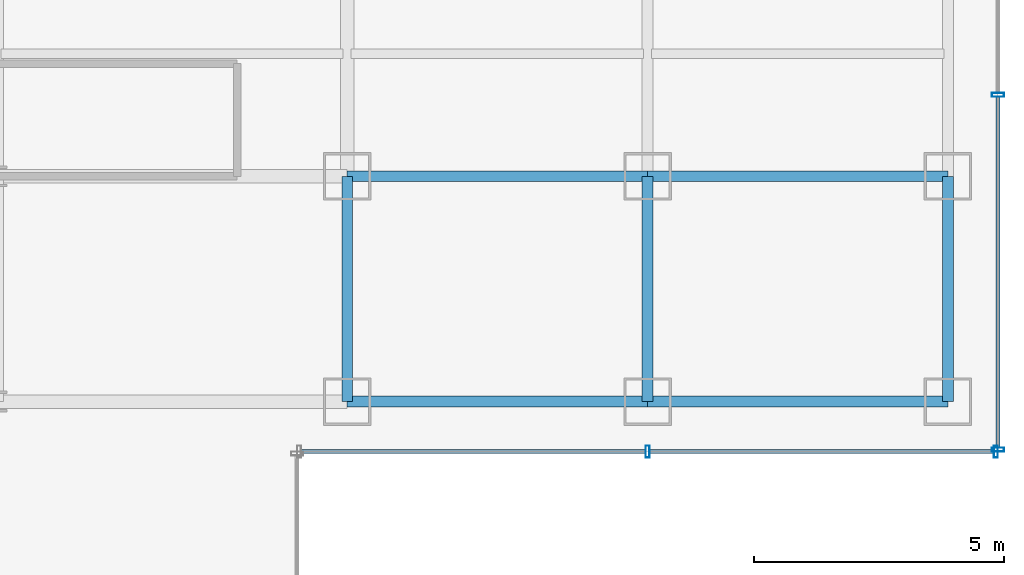
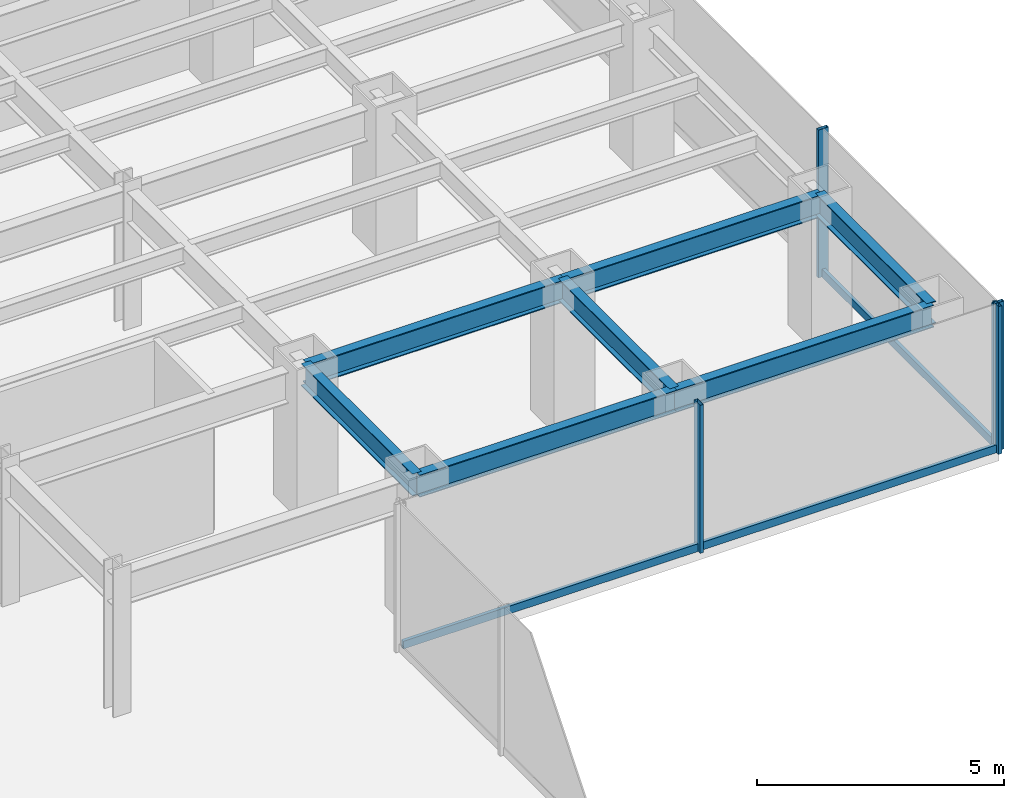
# One storey, part 7 of 22: 7 beams, 7 members, 2 elements without a shape of their own.
"""IFC4 building model written with IfcOpenShell, lengths in metres."""

from ifc_helpers import new_model, si_unit, derived_unit, direction, frame, origin, origin_2d, place, context, subcontext, project, spatial, hollow_rectangle, i_section, extrude, source, transform, mapped, material, material_profile, profile_set, type_object, element, aggregate, save


model = new_model("IFC4")

# Units and contexts
model_context = context("Model", 3, precision=1e-05, world=origin(), true_north=direction((0.0, 1.0)))
body_context = subcontext(model_context, "Body", "Model", "MODEL_VIEW")
ifc_project = project(units=[si_unit("LENGTHUNIT", "METRE"), si_unit("AREAUNIT", "SQUARE_METRE"), si_unit("VOLUMEUNIT", "CUBIC_METRE"), si_unit("PLANEANGLEUNIT", "RADIAN"), si_unit("MASSUNIT", "GRAM", prefix="KILO"), derived_unit("THERMALTRANSMITTANCEUNIT", [(si_unit("POWERUNIT", "WATT"), 1), (si_unit("LENGTHUNIT", "METRE"), -2), (si_unit("THERMODYNAMICTEMPERATUREUNIT", "KELVIN"), -1)])], contexts=[model_context])

# Site, building, storey
site_placement = place(None, origin())
site = spatial("IfcSite", under=ifc_project, at=site_placement, CompositionType="ELEMENT")
building_placement = place(site_placement, origin())
building = spatial("IfcBuilding", under=site, at=building_placement, Name="Skarnbrae Concourse Arena and Tower", CompositionType="ELEMENT")
storey_placement = place(building_placement, frame((0.0, 0.0, 72.64990234375)))
storey = spatial("IfcBuildingStorey", under=building, at=storey_placement, Name="L17", CompositionType="ELEMENT", Elevation=72.64990234375)

# Beams
ifc_material_1 = material(Name="Steel CSA G40.21 350W", Category="steel")
ifc_material_profile_1 = material_profile(ifc_material_1, i_section(OverallWidth=0.214111328125, OverallDepth=0.549072265625, WebThickness=0.0146484375, FlangeThickness=0.023681640625, at=origin_2d()), Name="W530X138")
ifc_profile_set_1 = profile_set([ifc_material_profile_1], Name="Steel CSA G40.21 350W")
beam_type = type_object("IfcBeamType", Name="BM-SPAN-W530X138", PredefinedType="SPANDREL", material=ifc_profile_set_1)
shared_shape_1 = source(origin(), body_context, "Body", "SweptSolid", [
    extrude(i_section(OverallWidth=0.214111328125, OverallDepth=0.549072265625, WebThickness=0.0146484375, FlangeThickness=0.023681640625, at=origin_2d()), origin(), (0.0, 0.0, 1.0), 6.0),
])
for number, where, z_axis, x_axis, name in (
    (1, (49.0, 9.5, 3.12548828125), (1.0, 0.0, 0.0), (0.0, 1.0, 0.0), "L17 Perimeter spandrel Y9.5-3"),
    (2, (55.0, 9.5, 3.12548828125), (1.0, 0.0, 0.0), (0.0, 1.0, 0.0), "L17 Perimeter spandrel Y9.5-4"),
    (3, (49.0, 14.0, 3.12548828125), (1.0, 0.0, 0.0), (0.0, 1.0, 0.0), "L17 Perimeter spandrel Y14.0-8"),
    (4, (55.0, 14.0, 3.12548828125), (1.0, 0.0, 0.0), (0.0, 1.0, 0.0), "L17 Perimeter spandrel Y14.0-9"),
):
    element("IfcBeam", number, at=place(storey_placement, frame(where, z_axis=z_axis, x_axis=x_axis)), inside=storey, type_object=beam_type, Name=name, PredefinedType="SPANDREL", context=body_context, shape_type="MappedRepresentation", body=[
        mapped(shared_shape_1, transform((0.0, 0.0, 0.0))),
    ])
shared_shape_2 = source(origin(), body_context, "Body", "SweptSolid", [
    extrude(i_section(OverallWidth=0.214111328125, OverallDepth=0.549072265625, WebThickness=0.0146484375, FlangeThickness=0.023681640625, at=origin_2d()), origin(), (0.0, 0.0, 1.0), 4.5),
])
for number, where, z_axis, x_axis, name in (
    (5, (49.0, 9.5, 3.12548828125), (0.0, 1.0, 0.0), (-1.0, 0.0, 0.0), "L17 Perimeter spandrel X49.0-1"),
    (6, (55.0, 9.5, 3.12548828125), (0.0, 1.0, 0.0), (-1.0, 0.0, 0.0), "L17 Perimeter spandrel X55.0-1"),
    (7, (61.0, 9.5, 3.12548828125), (0.0, 1.0, 0.0), (-1.0, 0.0, 0.0), "L17 Perimeter spandrel X61.0-1"),
):
    element("IfcBeam", number, at=place(storey_placement, frame(where, z_axis=z_axis, x_axis=x_axis)), inside=storey, type_object=beam_type, Name=name, PredefinedType="SPANDREL", context=body_context, shape_type="MappedRepresentation", body=[
        mapped(shared_shape_2, transform((0.0, 0.0, 0.0))),
    ])

# Curtain wall, members
ifc_material_2 = material(Name="Bronze anodised aluminium 6063-T6", Category="aluminium")
curtain_wall_type = type_object("IfcCurtainWallType", Name="CW-SYS-02-LOWZONE", PredefinedType="USERDEFINED", material=ifc_material_2)
curtain_wall_1_placement = place(storey_placement, origin())
curtain_wall_1 = element("IfcCurtainWall", 8, at=curtain_wall_1_placement, inside=storey, type_object=curtain_wall_type, Name="L17 Unitised curtain wall CW-L17-E03", ObjectType="UNITISED CURTAIN WALL", PredefinedType="USERDEFINED")
ifc_material_profile_2 = material_profile(ifc_material_2, hollow_rectangle(XDim=0.080078125, YDim=0.18994140625, WallThickness=0.0048828125, at=origin_2d()), Name="ALU-TRAN-80X190")
ifc_profile_set_2 = profile_set([ifc_material_profile_2], Name="Bronze anodised aluminium 6063-T6")
member_type_1 = type_object("IfcMemberType", Name="CWT-CW-02", PredefinedType="USERDEFINED", material=ifc_profile_set_2)
shared_shape_3 = source(origin(), body_context, "Body", "SweptSolid", [
    extrude(hollow_rectangle(XDim=0.080078125, YDim=0.18994140625, WallThickness=0.0048828125, at=origin_2d()), origin(), (0.0, 0.0, 1.0), 6.8798828125),
])
member_1_placement = place(storey_placement, frame((48.080078125, 8.5, 0.09521484375), z_axis=(1.0, 0.0, 0.0), x_axis=(0.0, 1.0, 0.0)))
member_1 = element("IfcMember", 9, at=member_1_placement, type_object=member_type_1, Name="CW-L17-E03 Transom 1", ObjectType="TRANSOM", PredefinedType="USERDEFINED", context=body_context, shape_type="MappedRepresentation", body=[
    mapped(shared_shape_3, transform((0.0, 0.0, 0.0))),
])
member_2_placement = place(storey_placement, frame((55.0400390625, 8.5, 0.09521484375), z_axis=(1.0, 0.0, 0.0), x_axis=(0.0, 1.0, 0.0)))
member_2 = element("IfcMember", 10, at=member_2_placement, type_object=member_type_1, Name="CW-L17-E03 Transom 2", ObjectType="TRANSOM", PredefinedType="USERDEFINED", context=body_context, shape_type="MappedRepresentation", body=[
    mapped(shared_shape_3, transform((0.0, 0.0, 0.0))),
])

# Curtain wall, member
curtain_wall_2_placement = place(storey_placement, origin())
curtain_wall_2 = element("IfcCurtainWall", 11, at=curtain_wall_2_placement, inside=storey, type_object=curtain_wall_type, Name="L17 Unitised curtain wall CW-L17-E04", ObjectType="UNITISED CURTAIN WALL", PredefinedType="USERDEFINED")
shared_shape_4 = source(origin(), body_context, "Body", "SweptSolid", [
    extrude(hollow_rectangle(XDim=0.080078125, YDim=0.18994140625, WallThickness=0.0048828125, at=origin_2d()), origin(), (0.0, 0.0, 1.0), 7.0048828125),
])
member_3_placement = place(storey_placement, frame((62.0, 8.580078125, 0.09521484375), z_axis=(0.0, 1.0, 0.0), x_axis=(-1.0, 0.0, 0.0)))
member_3 = element("IfcMember", 12, at=member_3_placement, type_object=member_type_1, Name="CW-L17-E04 Transom 1", ObjectType="TRANSOM", PredefinedType="USERDEFINED", context=body_context, shape_type="MappedRepresentation", body=[
    mapped(shared_shape_4, transform((0.0, 0.0, 0.0))),
])

# Member
ifc_material_profile_3 = material_profile(ifc_material_2, hollow_rectangle(XDim=0.080078125, YDim=0.239990234375, WallThickness=0.0048828125, at=origin_2d()), Name="ALU-MULL-80X240")
ifc_profile_set_3 = profile_set([ifc_material_profile_3], Name="Bronze anodised aluminium 6063-T6")
member_type_2 = type_object("IfcMemberType", Name="CWM-CW-02", PredefinedType="MULLION", material=ifc_profile_set_3)
shared_shape_5 = source(origin(), body_context, "Body", "SweptSolid", [
    extrude(hollow_rectangle(XDim=0.080078125, YDim=0.239990234375, WallThickness=0.0048828125, at=origin_2d()), origin(), (0.0, 0.0, 1.0), 3.650146484375),
])
member_4_placement = place(storey_placement, frame((55.0, 8.5, 0.0), z_axis=(0.0, 0.0, 1.0), x_axis=(1.0, 0.0, 0.0)))
member_4 = element("IfcMember", 13, at=member_4_placement, type_object=member_type_2, Name="CW-L17-E03 Mullion 2", PredefinedType="MULLION", context=body_context, shape_type="MappedRepresentation", body=[
    mapped(shared_shape_5, transform((0.0, 0.0, 0.0))),
])

member_5_placement = place(storey_placement, frame((61.9599609375, 8.5, 0.0), z_axis=(0.0, 0.0, 1.0), x_axis=(1.0, 0.0, 0.0)))
member_5 = element("IfcMember", 14, at=member_5_placement, type_object=member_type_2, Name="CW-L17-E03 Mullion 3", PredefinedType="MULLION", context=body_context, shape_type="MappedRepresentation", body=[
    mapped(shared_shape_5, transform((0.0, 0.0, 0.0))),
])

aggregate(curtain_wall_1, [member_4, member_5, member_1, member_2])

member_6_placement = place(storey_placement, frame((62.0, 8.5400390625, 0.0), z_axis=(0.0, 0.0, 1.0), x_axis=(0.0, 1.0, 0.0)))
member_6 = element("IfcMember", 15, at=member_6_placement, type_object=member_type_2, Name="CW-L17-E04 Mullion 1", PredefinedType="MULLION", context=body_context, shape_type="MappedRepresentation", body=[
    mapped(shared_shape_5, transform((0.0, 0.0, 0.0))),
])

member_7_placement = place(storey_placement, frame((62.0, 15.625, 0.0), z_axis=(0.0, 0.0, 1.0), x_axis=(0.0, 1.0, 0.0)))
member_7 = element("IfcMember", 16, at=member_7_placement, type_object=member_type_2, Name="CW-L17-E04 Mullion 2", PredefinedType="MULLION", context=body_context, shape_type="MappedRepresentation", body=[
    mapped(shared_shape_5, transform((0.0, 0.0, 0.0))),
])

aggregate(curtain_wall_2, [member_6, member_7, member_3])

save(model, "model.ifc")
